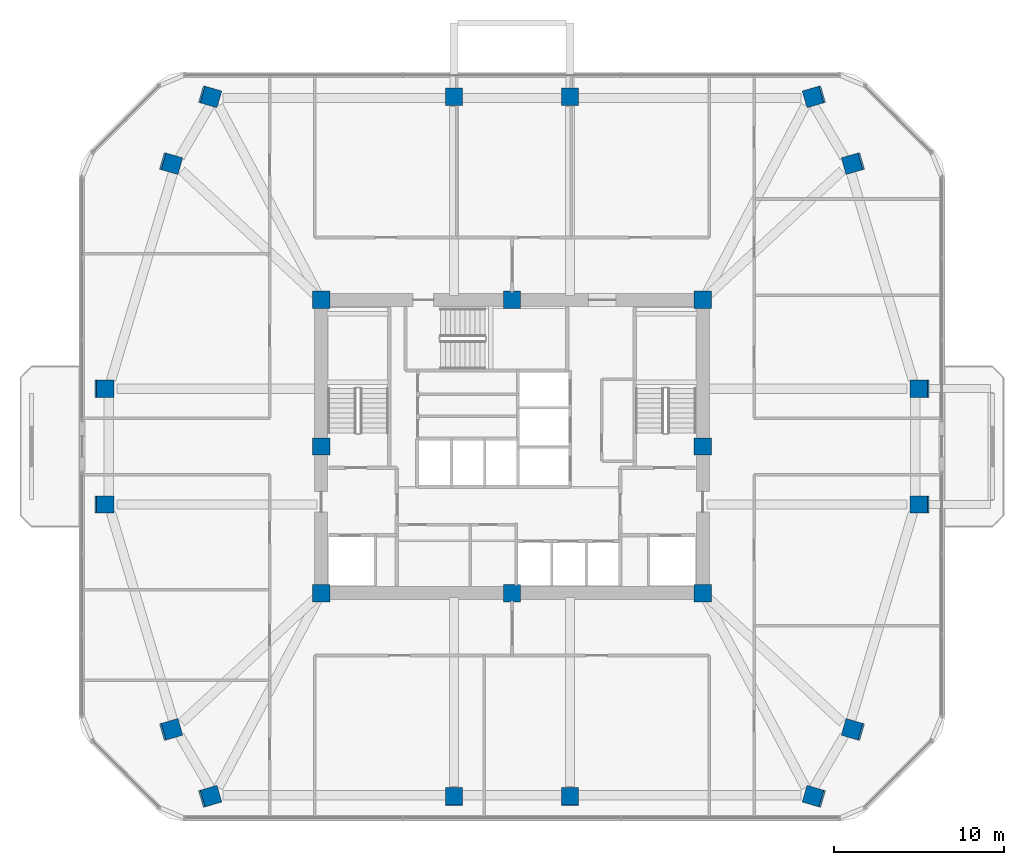
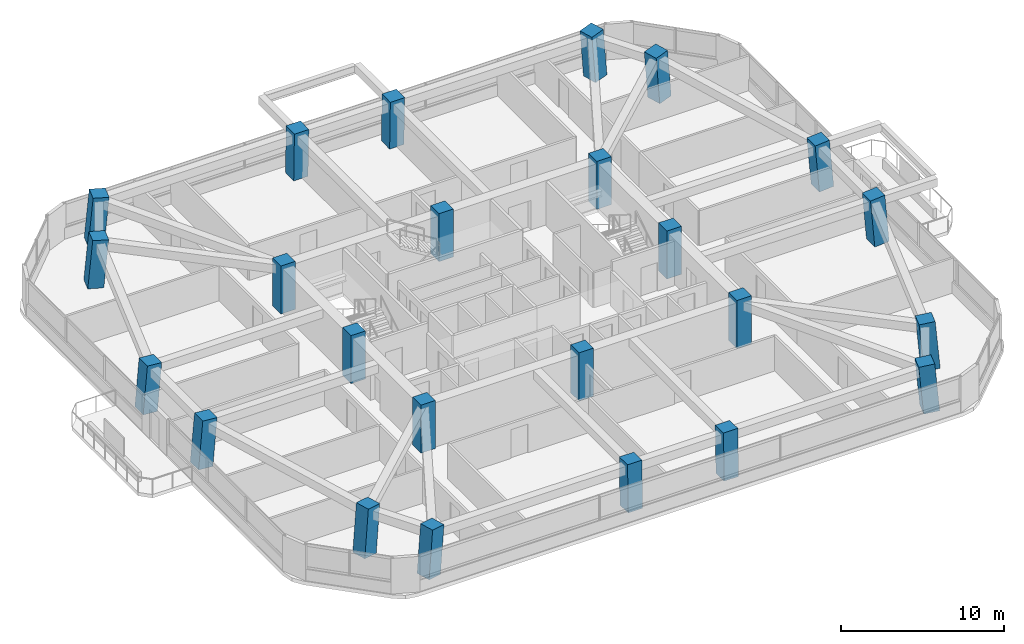
# One storey, part 1 of 14: 24 columns.
"""IFC4 building model written with IfcOpenShell, lengths in metres."""

from ifc_helpers import new_model, si_unit, derived_unit, direction, frame, origin, origin_2d, place, context, subcontext, project, spatial, rectangle, extrude, material, material_profile, profile_set, type_object, element, save


model = new_model("IFC4")

# Units and contexts
model_context = context("Model", 3, precision=1e-05, world=origin(), true_north=direction((0.0, 1.0)))
body_context = subcontext(model_context, "Body", "Model", "MODEL_VIEW")
ifc_project = project(units=[si_unit("LENGTHUNIT", "METRE"), si_unit("AREAUNIT", "SQUARE_METRE"), si_unit("VOLUMEUNIT", "CUBIC_METRE"), si_unit("PLANEANGLEUNIT", "RADIAN"), si_unit("MASSUNIT", "GRAM", prefix="KILO"), derived_unit("THERMALTRANSMITTANCEUNIT", [(si_unit("POWERUNIT", "WATT"), 1), (si_unit("LENGTHUNIT", "METRE"), -2), (si_unit("THERMODYNAMICTEMPERATUREUNIT", "KELVIN"), -1)])], contexts=[model_context])

# Site, building, storey
site_placement = place(None, origin())
site = spatial("IfcSite", under=ifc_project, at=site_placement, CompositionType="ELEMENT")
building_placement = place(site_placement, origin())
building = spatial("IfcBuilding", under=site, at=building_placement, Name="Koralith Skygarden Medical Center", CompositionType="ELEMENT")
storey_placement = place(building_placement, frame((0.0, 0.0, 106.3798828125)))
storey = spatial("IfcBuildingStorey", under=building, at=storey_placement, Name="L27", CompositionType="ELEMENT", Elevation=106.3798828125)

# Columns
ifc_material = material(Name="Concrete C70/85", Category="concrete")
ifc_material_profile_1 = material_profile(ifc_material, rectangle(XDim=1.02001953125, YDim=1.02001953125, at=origin_2d()), Name="RC1020X1020")
ifc_profile_set_1 = profile_set([ifc_material_profile_1], Name="Concrete C70/85")
column_type_1 = type_object("IfcColumnType", Name="Core Mega-Column C70 RC1020", PredefinedType="COLUMN", material=ifc_profile_set_1)
for number, where, z_axis, x_axis, name in (
    (1, (25.800048828125, 17.300048828125, 0.0), (0.0, 0.0, 1.0), (1.0, 0.0, 0.0), "L27 Core Column CC-01"),
    (2, (37.0, 17.300048828125, 0.0), (0.0, 0.0, 1.0), (1.0, 0.0, 0.0), "L27 Core Column CC-02"),
    (3, (48.199951171875, 17.300048828125, 0.0), (0.0, 0.0, 1.0), (1.0, 0.0, 0.0), "L27 Core Column CC-03"),
    (4, (48.199951171875, 25.89990234375, 0.0), (0.0, 0.0, 1.0), (1.0, 0.0, 0.0), "L27 Core Column CC-04"),
    (5, (48.199951171875, 34.5, 0.0), (0.0, 0.0, 1.0), (1.0, 0.0, 0.0), "L27 Core Column CC-05"),
    (6, (37.0, 34.5, 0.0), (0.0, 0.0, 1.0), (1.0, 0.0, 0.0), "L27 Core Column CC-06"),
    (7, (25.800048828125, 34.5, 0.0), (0.0, 0.0, 1.0), (1.0, 0.0, 0.0), "L27 Core Column CC-07"),
    (8, (25.800048828125, 25.89990234375, 0.0), (0.0, 0.0, 1.0), (1.0, 0.0, 0.0), "L27 Core Column CC-08"),
):
    element("IfcColumn", number, at=place(storey_placement, frame(where, z_axis=z_axis, x_axis=x_axis)), inside=storey, type_object=column_type_1, Name=name, PredefinedType="COLUMN", context=body_context, shape_type="SweptSolid", body=[
        extrude(rectangle(XDim=1.02001953125, YDim=1.02001953125, at=origin_2d()), origin(), (0.0, 0.0, 1.0), 3.60009765625),
    ])
ifc_material_profile_2 = material_profile(ifc_material, rectangle(XDim=1.02001953125, YDim=1.02001953125, at=origin_2d()), Name="RC1020X1020")
ifc_profile_set_2 = profile_set([ifc_material_profile_2], Name="Concrete C70/85")
column_type_2 = type_object("IfcColumnType", Name="Zone 2 Waist-In Mega-Column C70 RC1020", PredefinedType="COLUMN", material=ifc_profile_set_2)
column_1_placement = place(storey_placement, frame((13.031982421875, 22.5, 0.02099609375), z_axis=(0.084573087246, 0.0, 0.99641727851), x_axis=(0.0, 1.0, 0.0)))
element("IfcColumn", 9, at=column_1_placement, inside=storey, type_object=column_type_2, Name="L27 Perimeter Mega-Column MC-01", PredefinedType="COLUMN", context=body_context, shape_type="SweptSolid", body=[
    extrude(rectangle(XDim=1.02001953125, YDim=1.02001953125, at=origin_2d()), origin(), (0.0, 0.0, 1.0), 3.57080078125),
])
for number, where, z_axis, x_axis, name in (
    (10, (16.951904296875, 9.282958984375, 0.02099609375), (0.084547339264, 0.024673879931, 0.996113922738), (-0.280148995539, 0.959956530421, 0.0), "L27 Perimeter Mega-Column MC-02"),
    (11, (19.242919921875, 5.362060546875, 0.02099609375), (0.084818339457, 0.02487822366, 0.996085801163), (-0.281454582132, 0.95957455062, 0.0), "L27 Perimeter Mega-Column MC-03"),
):
    element("IfcColumn", number, at=place(storey_placement, frame(where, z_axis=z_axis, x_axis=x_axis)), inside=storey, type_object=column_type_2, Name=name, PredefinedType="COLUMN", context=body_context, shape_type="SweptSolid", body=[
        extrude(rectangle(XDim=1.02001953125, YDim=1.02001953125, at=origin_2d()), origin(), (0.0, 0.0, 1.0), 3.572021484375),
    ])
for number, where, z_axis, x_axis, name in (
    (12, (33.60009765625, 5.362060546875, 0.02099609375), (0.0, 0.024968198266, 0.999688245942), (-1.0, 0.0, 0.0), "L27 Perimeter Mega-Column MC-04"),
    (13, (40.39990234375, 5.362060546875, 0.02099609375), (0.0, 0.024968198266, 0.999688245942), (-1.0, 0.0, 0.0), "L27 Perimeter Mega-Column MC-05"),
):
    element("IfcColumn", number, at=place(storey_placement, frame(where, z_axis=z_axis, x_axis=x_axis)), inside=storey, type_object=column_type_2, Name=name, PredefinedType="COLUMN", context=body_context, shape_type="SweptSolid", body=[
        extrude(rectangle(XDim=1.02001953125, YDim=1.02001953125, at=origin_2d()), origin(), (0.0, 0.0, 1.0), 3.559326171875),
    ])
for number, where, z_axis, x_axis, name in (
    (14, (54.757080078125, 5.362060546875, 0.02099609375), (-0.084818339457, 0.02487822366, 0.996085801163), (-0.281454582132, -0.95957455062, 0.0), "L27 Perimeter Mega-Column MC-06"),
    (15, (57.048095703125, 9.282958984375, 0.02099609375), (-0.084547339264, 0.024673879931, 0.996113922738), (-0.280148995539, -0.959956530421, 0.0), "L27 Perimeter Mega-Column MC-07"),
):
    element("IfcColumn", number, at=place(storey_placement, frame(where, z_axis=z_axis, x_axis=x_axis)), inside=storey, type_object=column_type_2, Name=name, PredefinedType="COLUMN", context=body_context, shape_type="SweptSolid", body=[
        extrude(rectangle(XDim=1.02001953125, YDim=1.02001953125, at=origin_2d()), origin(), (0.0, 0.0, 1.0), 3.572021484375),
    ])
for number, where, z_axis, x_axis, name in (
    (16, (60.968017578125, 22.5, 0.02099609375), (-0.084573087246, 0.0, 0.99641727851), (0.0, -1.0, 0.0), "L27 Perimeter Mega-Column MC-08"),
    (17, (60.968017578125, 29.300048828125, 0.02099609375), (-0.084573087246, 0.0, 0.99641727851), (0.0, -1.0, 0.0), "L27 Perimeter Mega-Column MC-09"),
):
    element("IfcColumn", number, at=place(storey_placement, frame(where, z_axis=z_axis, x_axis=x_axis)), inside=storey, type_object=column_type_2, Name=name, PredefinedType="COLUMN", context=body_context, shape_type="SweptSolid", body=[
        extrude(rectangle(XDim=1.02001953125, YDim=1.02001953125, at=origin_2d()), origin(), (0.0, 0.0, 1.0), 3.57080078125),
    ])
for number, where, z_axis, x_axis, name in (
    (18, (57.048095703125, 42.51708984375, 0.02099609375), (-0.084547339264, -0.024673879931, 0.996113922738), (0.280148995539, -0.959956530421, 0.0), "L27 Perimeter Mega-Column MC-10"),
    (19, (54.757080078125, 46.43798828125, 0.02099609375), (-0.084818339457, -0.02487822366, 0.996085801163), (0.281454582132, -0.95957455062, 0.0), "L27 Perimeter Mega-Column MC-11"),
):
    element("IfcColumn", number, at=place(storey_placement, frame(where, z_axis=z_axis, x_axis=x_axis)), inside=storey, type_object=column_type_2, Name=name, PredefinedType="COLUMN", context=body_context, shape_type="SweptSolid", body=[
        extrude(rectangle(XDim=1.02001953125, YDim=1.02001953125, at=origin_2d()), origin(), (0.0, 0.0, 1.0), 3.572021484375),
    ])
for number, where, z_axis, x_axis, name in (
    (20, (40.39990234375, 46.43798828125, 0.02099609375), (0.0, -0.024968198266, 0.999688245942), (1.0, 0.0, 0.0), "L27 Perimeter Mega-Column MC-12"),
    (21, (33.60009765625, 46.43798828125, 0.02099609375), (0.0, -0.024968198266, 0.999688245942), (1.0, 0.0, 0.0), "L27 Perimeter Mega-Column MC-13"),
):
    element("IfcColumn", number, at=place(storey_placement, frame(where, z_axis=z_axis, x_axis=x_axis)), inside=storey, type_object=column_type_2, Name=name, PredefinedType="COLUMN", context=body_context, shape_type="SweptSolid", body=[
        extrude(rectangle(XDim=1.02001953125, YDim=1.02001953125, at=origin_2d()), origin(), (0.0, 0.0, 1.0), 3.559326171875),
    ])
for number, where, z_axis, x_axis, name in (
    (22, (19.242919921875, 46.43798828125, 0.02099609375), (0.084818339457, -0.02487822366, 0.996085801163), (0.281454582132, 0.95957455062, 0.0), "L27 Perimeter Mega-Column MC-14"),
    (23, (16.951904296875, 42.51708984375, 0.02099609375), (0.084547339264, -0.024673879931, 0.996113922738), (0.280148995539, 0.959956530421, 0.0), "L27 Perimeter Mega-Column MC-15"),
):
    element("IfcColumn", number, at=place(storey_placement, frame(where, z_axis=z_axis, x_axis=x_axis)), inside=storey, type_object=column_type_2, Name=name, PredefinedType="COLUMN", context=body_context, shape_type="SweptSolid", body=[
        extrude(rectangle(XDim=1.02001953125, YDim=1.02001953125, at=origin_2d()), origin(), (0.0, 0.0, 1.0), 3.572021484375),
    ])
column_2_placement = place(storey_placement, frame((13.031982421875, 29.300048828125, 0.02099609375), z_axis=(0.084573087246, 0.0, 0.99641727851), x_axis=(0.0, 1.0, 0.0)))
element("IfcColumn", 24, at=column_2_placement, inside=storey, type_object=column_type_2, Name="L27 Perimeter Mega-Column MC-16", PredefinedType="COLUMN", context=body_context, shape_type="SweptSolid", body=[
    extrude(rectangle(XDim=1.02001953125, YDim=1.02001953125, at=origin_2d()), origin(), (0.0, 0.0, 1.0), 3.57080078125),
])

save(model, "model.ifc")
